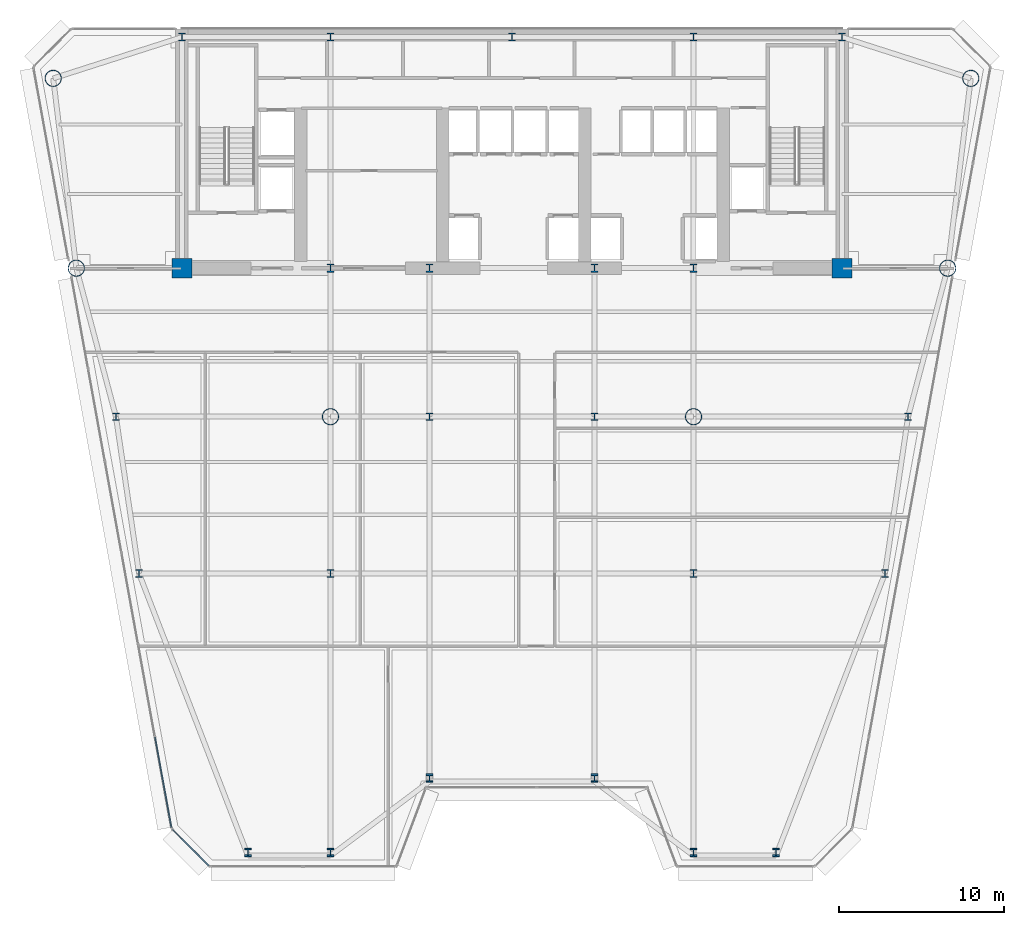
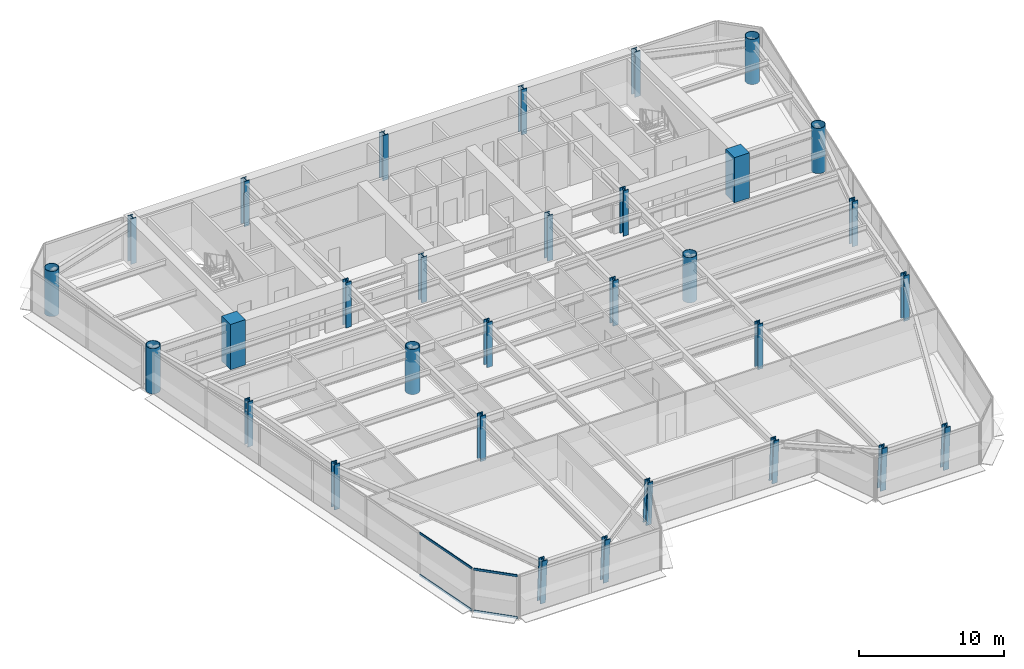
# One storey, part 1 of 14: 31 columns, 4 members, 2 elements without a shape of their own.
"""IFC4 building model written with IfcOpenShell, lengths in metres."""

from ifc_helpers import new_model, si_unit, direction, frame, origin, origin_2d, place, context, subcontext, project, spatial, rectangle, hollow_circle, i_section, extrude, source, transform, mapped, material, layer, layer_set, material_profile, profile_set, type_object, element, aggregate, save


model = new_model("IFC4")

# Units and contexts
model_context = context("Model", 3, precision=1e-05, world=origin(), true_north=direction((0.0, 1.0)))
body_context = subcontext(model_context, "Body", "Model", "MODEL_VIEW")
ifc_project = project(units=[si_unit("LENGTHUNIT", "METRE"), si_unit("AREAUNIT", "SQUARE_METRE"), si_unit("VOLUMEUNIT", "CUBIC_METRE"), si_unit("PLANEANGLEUNIT", "RADIAN"), si_unit("MASSUNIT", "GRAM", prefix="KILO")], contexts=[model_context])

# Site, building, storey
site_placement = place(None, origin())
site = spatial("IfcSite", under=ifc_project, at=site_placement, CompositionType="ELEMENT")
building_placement = place(site_placement, origin())
building = spatial("IfcBuilding", under=site, at=building_placement, Name="Vaeldorn Concourse Tower", CompositionType="ELEMENT")
storey_placement = place(building_placement, frame((0.0, 0.0, 141.39990234375)))
storey = spatial("IfcBuildingStorey", under=building, at=storey_placement, Name="L36", CompositionType="ELEMENT", Elevation=141.39990234375)

# Columns
ifc_material_1 = material(Name="Concrete C50/60", Category="concrete")
ifc_material_profile_1 = material_profile(ifc_material_1, rectangle(XDim=1.199951171875, YDim=1.199951171875, at=origin_2d()), Name="RC 1200x1200")
ifc_profile_set_1 = profile_set([ifc_material_profile_1], Name="Concrete C50/60")
column_type_1 = type_object("IfcColumnType", Name="COL-RC1200", PredefinedType="COLUMN", material=ifc_profile_set_1)
shared_shape_1 = source(origin(), body_context, "Body", "SweptSolid", [
    extrude(rectangle(XDim=1.199951171875, YDim=1.199951171875, at=origin_2d()), origin(), (0.0, 0.0, 1.0), 3.800048828125),
])
for number, where, z_axis, x_axis, name in (
    (1, (14.0, 36.5, 0.0), (0.0, 0.0, 1.0), (1.0, 0.0, 0.0), "Column C-FC1 L36"),
    (2, (54.0, 36.5, 0.0), (0.0, 0.0, 1.0), (1.0, 0.0, 0.0), "Column C-FC6 L36"),
):
    element("IfcColumn", number, at=place(storey_placement, frame(where, z_axis=z_axis, x_axis=x_axis)), inside=storey, type_object=column_type_1, Name=name, PredefinedType="COLUMN", context=body_context, shape_type="MappedRepresentation", body=[
        mapped(shared_shape_1, transform((0.0, 0.0, 0.0), scale=1.0)),
    ])
ifc_material_2 = material(Name="Steel S460", Category="steel")
ifc_material_profile_2 = material_profile(ifc_material_2, i_section(OverallWidth=0.431884765625, OverallDepth=0.498046875, WebThickness=0.054931640625, FlangeThickness=0.068115234375, FilletRadius=0.014892578125, at=origin_2d()), Name="HD 400x744")
ifc_profile_set_2 = profile_set([ifc_material_profile_2], Name="Steel S460")
column_type_2 = type_object("IfcColumnType", Name="COL-HD744", PredefinedType="COLUMN", material=ifc_profile_set_2)
shared_shape_2 = source(origin(), body_context, "Body", "SweptSolid", [
    extrude(i_section(OverallWidth=0.431884765625, OverallDepth=0.498046875, WebThickness=0.054931640625, FlangeThickness=0.068115234375, FilletRadius=0.014892578125, at=origin_2d()), origin(), (0.0, 0.0, 1.0), 3.800048828125),
])
for number, where, z_axis, x_axis, name in (
    (3, (23.0, 36.5, 0.0), (0.0, 0.0, 1.0), (1.0, 0.0, 0.0), "Column C-FC2 L36"),
    (4, (29.0, 36.5, 0.0), (0.0, 0.0, 1.0), (1.0, 0.0, 0.0), "Column C-FC3 L36"),
    (5, (39.0, 36.5, 0.0), (0.0, 0.0, 1.0), (1.0, 0.0, 0.0), "Column C-FC4 L36"),
    (6, (45.0, 36.5, 0.0), (0.0, 0.0, 1.0), (1.0, 0.0, 0.0), "Column C-FC5 L36"),
    (7, (14.0, 50.5, 0.0), (0.0, 0.0, 1.0), (1.0, 0.0, 0.0), "Column C-HC1 L36"),
    (8, (23.0, 50.5, 0.0), (0.0, 0.0, 1.0), (1.0, 0.0, 0.0), "Column C-HC2 L36"),
    (9, (34.0, 50.5, 0.0), (0.0, 0.0, 1.0), (1.0, 0.0, 0.0), "Column C-HC3 L36"),
    (10, (45.0, 50.5, 0.0), (0.0, 0.0, 1.0), (1.0, 0.0, 0.0), "Column C-HC4 L36"),
    (11, (54.0, 50.5, 0.0), (0.0, 0.0, 1.0), (1.0, 0.0, 0.0), "Column C-HC5 L36"),
):
    element("IfcColumn", number, at=place(storey_placement, frame(where, z_axis=z_axis, x_axis=x_axis)), inside=storey, type_object=column_type_2, Name=name, PredefinedType="COLUMN", context=body_context, shape_type="MappedRepresentation", body=[
        mapped(shared_shape_2, transform((0.0, 0.0, 0.0), scale=1.0)),
    ])
ifc_material_profile_3 = material_profile(ifc_material_2, hollow_circle(Radius=0.508056640625, WallThickness=0.044921875, at=origin_2d()), Name="CHS 1016x45")
ifc_profile_set_3 = profile_set([ifc_material_profile_3], Name="Steel S460")
column_type_3 = type_object("IfcColumnType", Name="COL-CHS1016", PredefinedType="COLUMN", material=ifc_profile_set_3)
shared_shape_3 = source(origin(), body_context, "Body", "SweptSolid", [
    extrude(hollow_circle(Radius=0.508056640625, WallThickness=0.044921875, at=origin_2d()), origin(), (0.0, 0.0, 1.0), 3.800048828125),
])
for number, where, z_axis, x_axis, name in (
    (12, (6.199951171875, 48.0, 0.0), (0.0, 0.0, 1.0), (1.0, 0.0, 0.0), "Column C-NW1 L36"),
    (13, (7.60009765625, 36.5, 0.0), (0.0, 0.0, 1.0), (1.0, 0.0, 0.0), "Column C-NW2 L36"),
    (14, (61.800048828125, 48.0, 0.0), (0.0, 0.0, 1.0), (1.0, 0.0, 0.0), "Column C-NE1 L36"),
    (15, (60.39990234375, 36.5, 0.0), (0.0, 0.0, 1.0), (1.0, 0.0, 0.0), "Column C-NE2 L36"),
    (16, (23.0, 27.5, 0.0), (0.0, 0.0, 1.0), (1.0, 0.0, 0.0), "Column C-TW1 L36"),
    (17, (45.0, 27.5, 0.0), (0.0, 0.0, 1.0), (1.0, 0.0, 0.0), "Column C-TW4 L36"),
):
    element("IfcColumn", number, at=place(storey_placement, frame(where, z_axis=z_axis, x_axis=x_axis)), inside=storey, type_object=column_type_3, Name=name, PredefinedType="COLUMN", context=body_context, shape_type="MappedRepresentation", body=[
        mapped(shared_shape_3, transform((0.0, 0.0, 0.0), scale=1.0)),
    ])
ifc_material_profile_4 = material_profile(ifc_material_2, i_section(OverallWidth=0.424072265625, OverallDepth=0.47412109375, WebThickness=0.047119140625, FlangeThickness=0.06494140625, FilletRadius=0.014892578125, at=origin_2d()), Name="HD 400x634")
ifc_profile_set_4 = profile_set([ifc_material_profile_4], Name="Steel S460")
column_type_4 = type_object("IfcColumnType", Name="COL-HD634F", PredefinedType="COLUMN", material=ifc_profile_set_4)
shared_shape_4 = source(origin(), body_context, "Body", "SweptSolid", [
    extrude(i_section(OverallWidth=0.424072265625, OverallDepth=0.47412109375, WebThickness=0.047119140625, FlangeThickness=0.06494140625, FilletRadius=0.014892578125, at=origin_2d()), origin(), (0.0, 0.0, 1.0), 3.800048828125),
])
for number, where, z_axis, x_axis, name in (
    (18, (10.0, 27.5, 0.0), (0.0, 0.0, 1.0), (1.0, 0.0, 0.0), "Column C-FLW1 L36"),
    (19, (11.39990234375, 18.0, 0.0), (0.0, 0.0, 1.0), (1.0, 0.0, 0.0), "Column C-FLW2 L36"),
    (20, (58.0, 27.5, 0.0), (0.0, 0.0, 1.0), (1.0, 0.0, 0.0), "Column C-FLE1 L36"),
    (21, (56.60009765625, 18.0, 0.0), (0.0, 0.0, 1.0), (1.0, 0.0, 0.0), "Column C-FLE2 L36"),
):
    element("IfcColumn", number, at=place(storey_placement, frame(where, z_axis=z_axis, x_axis=x_axis)), inside=storey, type_object=column_type_4, Name=name, PredefinedType="COLUMN", context=body_context, shape_type="MappedRepresentation", body=[
        mapped(shared_shape_4, transform((0.0, 0.0, 0.0), scale=1.0)),
    ])
ifc_material_profile_5 = material_profile(ifc_material_2, i_section(OverallWidth=0.424072265625, OverallDepth=0.47412109375, WebThickness=0.047119140625, FlangeThickness=0.06494140625, FilletRadius=0.014892578125, at=origin_2d()), Name="HD 400x634")
ifc_profile_set_5 = profile_set([ifc_material_profile_5], Name="Steel S460")
column_type_5 = type_object("IfcColumnType", Name="COL-HD634T", PredefinedType="COLUMN", material=ifc_profile_set_5)
shared_shape_5 = source(origin(), body_context, "Body", "SweptSolid", [
    extrude(i_section(OverallWidth=0.424072265625, OverallDepth=0.47412109375, WebThickness=0.047119140625, FlangeThickness=0.06494140625, FilletRadius=0.014892578125, at=origin_2d()), origin(), (0.0, 0.0, 1.0), 3.800048828125),
])
for number, where, z_axis, x_axis, name in (
    (22, (29.0, 27.5, 0.0), (0.0, 0.0, 1.0), (1.0, 0.0, 0.0), "Column C-TW2 L36"),
    (23, (39.0, 27.5, 0.0), (0.0, 0.0, 1.0), (1.0, 0.0, 0.0), "Column C-TW3 L36"),
    (24, (23.0, 18.0, 0.0), (0.0, 0.0, 1.0), (1.0, 0.0, 0.0), "Column C-TW5 L36"),
    (25, (45.0, 18.0, 0.0), (0.0, 0.0, 1.0), (1.0, 0.0, 0.0), "Column C-TW6 L36"),
):
    element("IfcColumn", number, at=place(storey_placement, frame(where, z_axis=z_axis, x_axis=x_axis)), inside=storey, type_object=column_type_5, Name=name, PredefinedType="COLUMN", context=body_context, shape_type="MappedRepresentation", body=[
        mapped(shared_shape_5, transform((0.0, 0.0, 0.0), scale=1.0)),
    ])
shared_shape_6 = source(origin(), body_context, "Body", "SweptSolid", [
    extrude(i_section(OverallWidth=0.424072265625, OverallDepth=0.47412109375, WebThickness=0.047119140625, FlangeThickness=0.06494140625, FilletRadius=0.014892578125, at=origin_2d()), origin(), (0.0, 0.0, 1.0), 3.74365234375),
])
for number, where, z_axis, x_axis, name in (
    (26, (18.0, 1.13916015625, 0.031982421875), (0.0, -0.063908817043, 0.997955742057), (1.0, 0.0, 0.0), "Column C-SF1 L36"),
    (27, (23.0, 1.13916015625, 0.031982421875), (0.0, -0.063908817043, 0.997955742057), (1.0, 0.0, 0.0), "Column C-SF2 L36"),
    (28, (29.0, 5.63916015625, 0.031982421875), (0.0, -0.063908817043, 0.997955742057), (1.0, 0.0, 0.0), "Column C-SF3 L36"),
    (29, (39.0, 5.63916015625, 0.031982421875), (0.0, -0.063908817043, 0.997955742057), (1.0, 0.0, 0.0), "Column C-SF4 L36"),
    (30, (45.0, 1.13916015625, 0.031982421875), (0.0, -0.063908817043, 0.997955742057), (1.0, 0.0, 0.0), "Column C-SF5 L36"),
    (31, (50.0, 1.13916015625, 0.031982421875), (0.0, -0.063908817043, 0.997955742057), (1.0, 0.0, 0.0), "Column C-SF6 L36"),
):
    element("IfcColumn", number, at=place(storey_placement, frame(where, z_axis=z_axis, x_axis=x_axis)), inside=storey, type_object=column_type_5, Name=name, PredefinedType="COLUMN", context=body_context, shape_type="MappedRepresentation", body=[
        mapped(shared_shape_6, transform((0.0, 0.0, 0.0), scale=1.0)),
    ])

# Curtain wall, members
ifc_material_3 = material(Name="Anodised Bronze Aluminium", Category="aluminium")
ifc_layer = layer(ifc_material_3, 0.199951171875)
ifc_layer_set = layer_set([ifc_layer], Name="Anodised Bronze Aluminium")
curtain_wall_type = type_object("IfcCurtainWallType", Name="CW-SYS-02", PredefinedType="NOTDEFINED", material=ifc_layer_set)
curtain_wall_1_placement = place(storey_placement, origin())
curtain_wall_1 = element("IfcCurtainWall", 32, at=curtain_wall_1_placement, inside=storey, type_object=curtain_wall_type, Name="Unitised Curtain Wall CW-L36-E12-1", PredefinedType="NOTDEFINED")
ifc_material_profile_6 = material_profile(ifc_material_3, rectangle(XDim=0.074951171875, YDim=0.179931640625, at=origin_2d()), Name="CWT 75x180")
ifc_profile_set_6 = profile_set([ifc_material_profile_6], Name="Anodised Bronze Aluminium")
member_type = type_object("IfcMemberType", Name="CWT-BRONZE-180", PredefinedType="USERDEFINED", material=ifc_profile_set_6)
shared_shape_7 = source(origin(), body_context, "Body", "SweptSolid", [
    extrude(rectangle(XDim=0.074951171875, YDim=0.179931640625, at=origin_2d()), origin(), (0.0, 0.0, 1.0), 3.102783203125),
])
member_1_placement = place(storey_placement, frame((13.428466796875, 2.486083984375, 0.03759765625), z_axis=(0.707146122816, -0.707067437368, 0.0), x_axis=(0.707067437368, 0.707146122816, 0.0)))
member_1 = element("IfcMember", 33, at=member_1_placement, type_object=member_type, Name="CW-02 transom 1.1", ObjectType="TRANSOM", PredefinedType="USERDEFINED", context=body_context, shape_type="MappedRepresentation", body=[
    mapped(shared_shape_7, transform((0.0, 0.0, 0.0), scale=1.0)),
])
member_2_placement = place(storey_placement, frame((13.428466796875, 2.486083984375, 3.54248046875), z_axis=(0.707146122816, -0.707067437368, 0.0), x_axis=(0.707067437368, 0.707146122816, 0.0)))
member_2 = element("IfcMember", 34, at=member_2_placement, type_object=member_type, Name="CW-02 transom 1.2", ObjectType="TRANSOM", PredefinedType="USERDEFINED", context=body_context, shape_type="MappedRepresentation", body=[
    mapped(shared_shape_7, transform((0.0, 0.0, 0.0), scale=1.0)),
])
aggregate(curtain_wall_1, [member_1, member_2])

curtain_wall_2_placement = place(storey_placement, origin())
curtain_wall_2 = element("IfcCurtainWall", 35, at=curtain_wall_2_placement, inside=storey, type_object=curtain_wall_type, Name="Unitised Curtain Wall CW-L36-E11-2", PredefinedType="NOTDEFINED")
shared_shape_8 = source(origin(), body_context, "Body", "SweptSolid", [
    extrude(rectangle(XDim=0.074951171875, YDim=0.179931640625, at=origin_2d()), origin(), (0.0, 0.0, 1.0), 5.55224609375),
])
member_3_placement = place(storey_placement, frame((12.370849609375, 8.075927734375, 0.03759765625), z_axis=(0.178521699007, -0.983935975043, 0.0), x_axis=(0.983935975043, 0.178521699007, 0.0)))
member_3 = element("IfcMember", 36, at=member_3_placement, type_object=member_type, Name="CW-02 transom 6.1", ObjectType="TRANSOM", PredefinedType="USERDEFINED", context=body_context, shape_type="MappedRepresentation", body=[
    mapped(shared_shape_8, transform((0.0, 0.0, 0.0), scale=1.0)),
])
member_4_placement = place(storey_placement, frame((12.370849609375, 8.075927734375, 3.54248046875), z_axis=(0.178521699007, -0.983935975043, 0.0), x_axis=(0.983935975043, 0.178521699007, 0.0)))
member_4 = element("IfcMember", 37, at=member_4_placement, type_object=member_type, Name="CW-02 transom 6.2", ObjectType="TRANSOM", PredefinedType="USERDEFINED", context=body_context, shape_type="MappedRepresentation", body=[
    mapped(shared_shape_8, transform((0.0, 0.0, 0.0), scale=1.0)),
])
aggregate(curtain_wall_2, [member_3, member_4])

save(model, "model.ifc")
